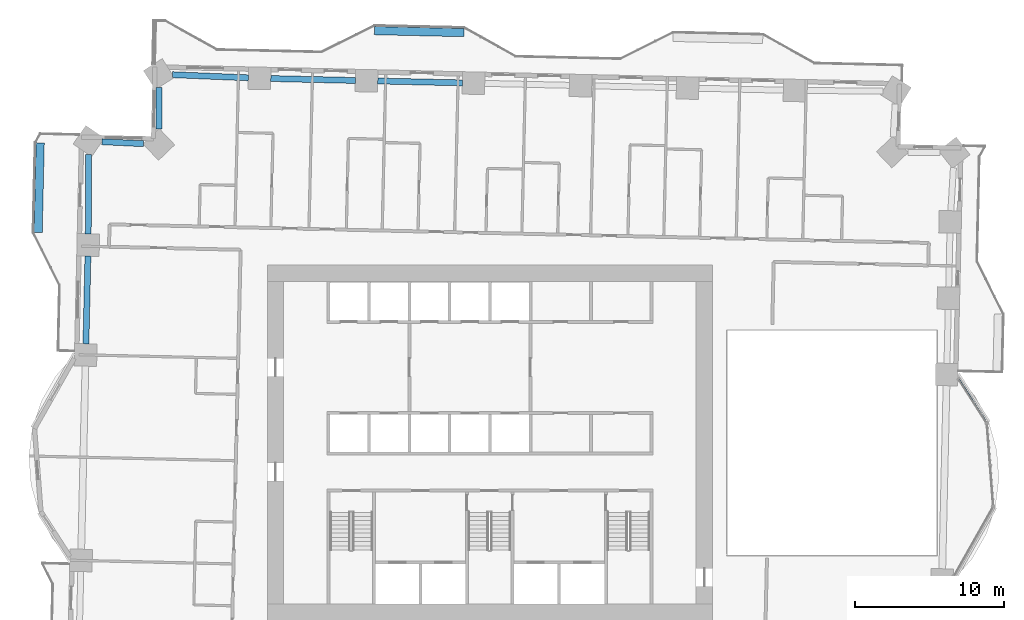
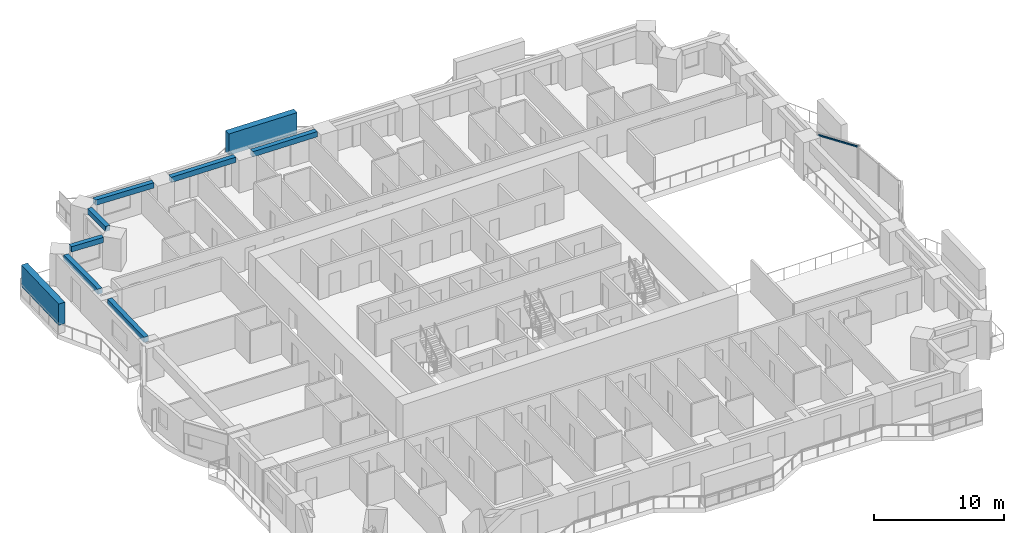
# One storey, part 3 of 19: 7 beams, 3 members, 1 element without a shape of its own.
"""IFC4 building model written with IfcOpenShell, lengths in metres."""

from ifc_helpers import new_model, si_unit, direction, frame, origin, origin_2d, place, context, subcontext, project, spatial, rectangle, extrude, material, material_profile, profile_set, type_object, element, aggregate, save


model = new_model("IFC4")

# Units and contexts
model_context = context("Model", 3, precision=1e-05, world=origin(), true_north=direction((0.0, 1.0)))
body_context = subcontext(model_context, "Body", "Model", "MODEL_VIEW")
ifc_project = project(units=[si_unit("LENGTHUNIT", "METRE"), si_unit("AREAUNIT", "SQUARE_METRE"), si_unit("VOLUMEUNIT", "CUBIC_METRE"), si_unit("PLANEANGLEUNIT", "RADIAN"), si_unit("MASSUNIT", "GRAM", prefix="KILO")], contexts=[model_context])

# Site, building, storey
site_placement = place(None, origin())
site = spatial("IfcSite", under=ifc_project, at=site_placement, CompositionType="ELEMENT")
building_placement = place(site_placement, origin())
building = spatial("IfcBuilding", under=site, at=building_placement, Name="Mangrove Gate Tower", CompositionType="ELEMENT")
storey_placement = place(building_placement, frame((0.0, 0.0, 63.89990234375)))
storey = spatial("IfcBuildingStorey", under=building, at=storey_placement, Name="L15", CompositionType="ELEMENT", Elevation=63.89990234375)

# Curtain wall, member
ifc_material_1 = material(Name="Aluminium and glass curtain wall", Category="aluminium")
curtain_wall_type = type_object("IfcCurtainWallType", Name="Atrium garden-court glazing wall", PredefinedType="NOTDEFINED", material=ifc_material_1)
curtain_wall_placement = place(storey_placement, origin())
curtain_wall = element("IfcCurtainWall", 1, at=curtain_wall_placement, inside=storey, type_object=curtain_wall_type, Name="Atrium garden-court glazing E1f3", PredefinedType="NOTDEFINED")
ifc_material_2 = material(Name="Aluminium alloy 6063-T6", Category="aluminium")
ifc_material_profile_1 = material_profile(ifc_material_2, rectangle(XDim=0.070068359375, YDim=0.14990234375, at=origin_2d()))
ifc_profile_set_1 = profile_set([ifc_material_profile_1], Name="Aluminium alloy 6063-T6")
member_type_1 = type_object("IfcMemberType", Name="Atrium garden-court glazing transom 70x150", PredefinedType="USERDEFINED", material=ifc_profile_set_1)
member_1_placement = place(storey_placement, frame((33.211669921875, 1.364013671875, 3.01513671875), z_axis=(-0.540523675836, 0.841328803656, 0.0), x_axis=(0.0, 0.0, 1.0)))
member_1 = element("IfcMember", 2, at=member_1_placement, type_object=member_type_1, Name="CWA transom 1.2", ObjectType="TRANSOM", PredefinedType="USERDEFINED", context=body_context, shape_type="SweptSolid", body=[
    extrude(rectangle(XDim=0.070068359375, YDim=0.14990234375, at=origin_2d()), origin(), (0.0, 0.0, 1.0), 3.42919921875),
])
aggregate(curtain_wall, [member_1])

# Members
ifc_material_3 = material(Name="Planting on aluminium trellis", Category="aluminium")
ifc_material_profile_2 = material_profile(ifc_material_3, rectangle(XDim=0.550048828125, YDim=2.0, at=origin_2d()))
ifc_profile_set_2 = profile_set([ifc_material_profile_2], Name="Planting on aluminium trellis")
member_type_2 = type_object("IfcMemberType", Name="Balcony greenery screen 550x2000", PredefinedType="USERDEFINED", material=ifc_profile_set_2)
member_2_placement = place(storey_placement, frame((-7.739013671875, 27.583984375, 1.800048828125), z_axis=(0.999743178102, -0.022662255828, 0.0), x_axis=(0.022662255828, 0.999743178102, 0.0)))
element("IfcMember", 3, at=member_2_placement, inside=storey, type_object=member_type_2, Name="GREEN SCREEN L15 N1.1", ObjectType="PLANTING", PredefinedType="USERDEFINED", context=body_context, shape_type="SweptSolid", body=[
    extrude(rectangle(XDim=0.550048828125, YDim=2.0, at=origin_2d()), origin(), (0.0, 0.0, 1.0), 6.00048828125),
])
member_3_placement = place(storey_placement, frame((-30.23388671875, 14.076904296875, 1.800048828125), z_axis=(0.022665943652, 0.999743094499, 0.0), x_axis=(-0.999743094499, 0.022665943652, 0.0)))
element("IfcMember", 4, at=member_3_placement, inside=storey, type_object=member_type_2, Name="GREEN SCREEN L15 W0.1", ObjectType="PLANTING", PredefinedType="USERDEFINED", context=body_context, shape_type="SweptSolid", body=[
    extrude(rectangle(XDim=0.550048828125, YDim=2.0, at=origin_2d()), origin(), (0.0, 0.0, 1.0), 5.99951171875),
])

# Beams
ifc_material_4 = material(Name="Concrete C50/60", Category="concrete")
ifc_material_profile_3 = material_profile(ifc_material_4, rectangle(XDim=0.39990234375, YDim=0.5, at=origin_2d()))
ifc_profile_set_3 = profile_set([ifc_material_profile_3], Name="Concrete C50/60")
beam_type = type_object("IfcBeamType", Name="Edge beam RC 400x500 C50/60", PredefinedType="BEAM", material=ifc_profile_set_3)
beam_1_placement = place(storey_placement, frame((-1.847900390625, 24.085205078125, 2.800048828125), z_axis=(-0.999744787315, 0.022591153933, 0.0), x_axis=(-0.022591153933, -0.999744787315, 0.0)))
element("IfcBeam", 5, at=beam_1_placement, inside=storey, type_object=beam_type, Name="Edge beam L15 26", PredefinedType="BEAM", context=body_context, shape_type="SweptSolid", body=[
    extrude(rectangle(XDim=0.39990234375, YDim=0.5, at=origin_2d()), origin(), (0.0, 0.0, 1.0), 5.662841796875),
])
beam_2_placement = place(storey_placement, frame((-9.0087890625, 24.247314453125, 2.800048828125), z_axis=(-0.999740788203, 0.022767441715, 0.0), x_axis=(-0.022767441715, -0.999740788203, 0.0)))
element("IfcBeam", 6, at=beam_2_placement, inside=storey, type_object=beam_type, Name="Edge beam L15 27", PredefinedType="BEAM", context=body_context, shape_type="SweptSolid", body=[
    extrude(rectangle(XDim=0.39990234375, YDim=0.5, at=origin_2d()), origin(), (0.0, 0.0, 1.0), 5.661865234375),
])
beam_3_placement = place(storey_placement, frame((-16.16845703125, 24.42431640625, 2.800048828125), z_axis=(-0.99914212499, 0.041412728362, 0.0), x_axis=(-0.041412728362, -0.99914212499, 0.0)))
element("IfcBeam", 7, at=beam_3_placement, inside=storey, type_object=beam_type, Name="Edge beam L15 28", PredefinedType="BEAM", context=body_context, shape_type="SweptSolid", body=[
    extrude(rectangle(XDim=0.39990234375, YDim=0.5, at=origin_2d()), origin(), (0.0, 0.0, 1.0), 5.081787109375),
])
beam_4_placement = place(storey_placement, frame((-22.15869140625, 23.78369140625, 2.800048828125), z_axis=(0.001315557536, -0.999999134654, 0.0), x_axis=(0.999999134654, 0.001315557536, 0.0)))
element("IfcBeam", 8, at=beam_4_placement, inside=storey, type_object=beam_type, Name="Edge beam L15 29", PredefinedType="BEAM", context=body_context, shape_type="SweptSolid", body=[
    extrude(rectangle(XDim=0.39990234375, YDim=0.5, at=origin_2d()), origin(), (0.0, 0.0, 1.0), 2.78369140625),
])
beam_5_placement = place(storey_placement, frame((-23.18701171875, 20.013916015625, 2.800048828125), z_axis=(-0.998830782294, 0.048343234706, 0.0), x_axis=(-0.048343234706, -0.998830782294, 0.0)))
element("IfcBeam", 9, at=beam_5_placement, inside=storey, type_object=beam_type, Name="Edge beam L15 30", PredefinedType="BEAM", context=body_context, shape_type="SweptSolid", body=[
    extrude(rectangle(XDim=0.39990234375, YDim=0.5, at=origin_2d()), origin(), (0.0, 0.0, 1.0), 2.78759765625),
])
beam_6_placement = place(storey_placement, frame((-26.85595703125, 19.285400390625, 2.800048828125), z_axis=(-0.005161697298, -0.999986678352, 0.0), x_axis=(0.999986678352, -0.005161697298, 0.0)))
element("IfcBeam", 10, at=beam_6_placement, inside=storey, type_object=beam_type, Name="Edge beam L15 31", PredefinedType="BEAM", context=body_context, shape_type="SweptSolid", body=[
    extrude(rectangle(XDim=0.39990234375, YDim=0.5, at=origin_2d()), origin(), (0.0, 0.0, 1.0), 5.29736328125),
])
beam_7_placement = place(storey_placement, frame((-26.904296875, 12.48828125, 2.800048828125), z_axis=(-0.022652355822, -0.999743402467, 0.0), x_axis=(0.999743402467, -0.022652355822, 0.0)))
element("IfcBeam", 11, at=beam_7_placement, inside=storey, type_object=beam_type, Name="Edge beam L15 32", PredefinedType="BEAM", context=body_context, shape_type="SweptSolid", body=[
    extrude(rectangle(XDim=0.39990234375, YDim=0.5, at=origin_2d()), origin(), (0.0, 0.0, 1.0), 5.863037109375),
])

save(model, "model.ifc")
